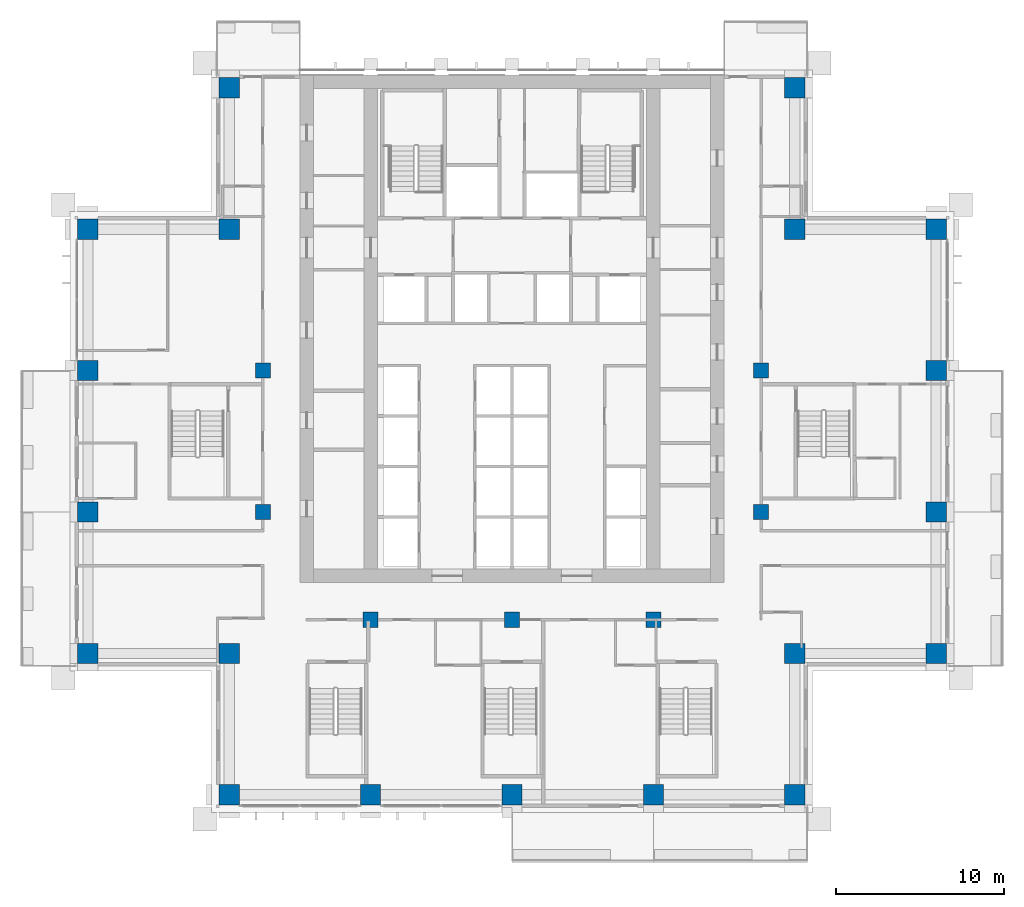
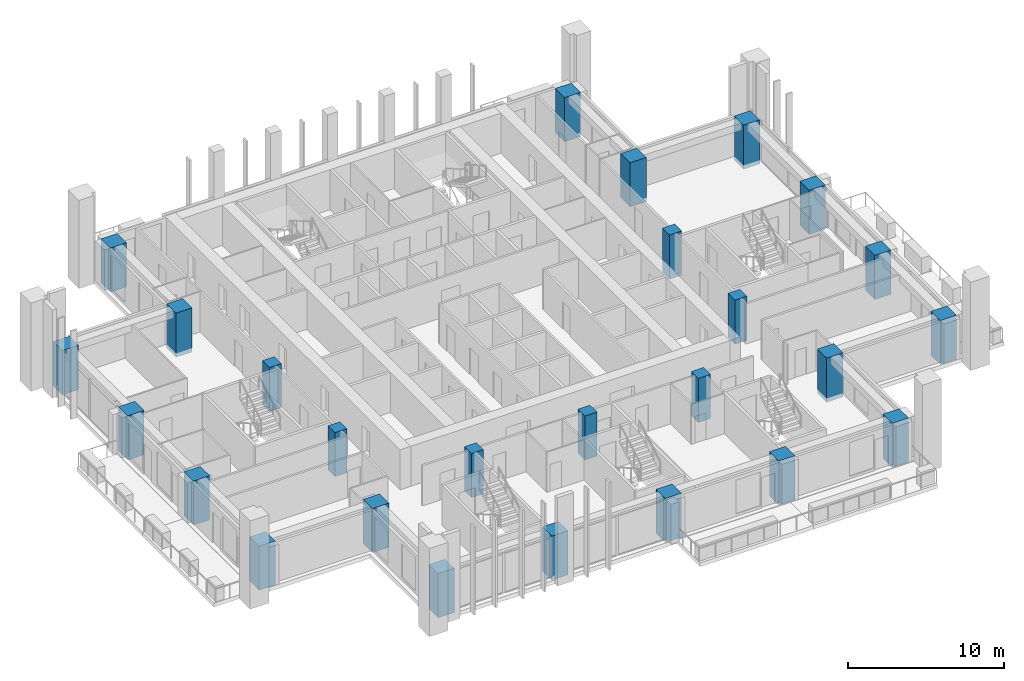
# One storey, part 1 of 19: 26 columns.
"""IFC4 building model written with IfcOpenShell, lengths in metres."""

from ifc_helpers import new_model, si_unit, direction, frame, origin, origin_2d, place, context, subcontext, project, spatial, rectangle, extrude, material, material_profile, profile_set, type_object, element, save


model = new_model("IFC4")

# Units and contexts
model_context = context("Model", 3, precision=1e-05, world=origin(), true_north=direction((0.0, 1.0)))
body_context = subcontext(model_context, "Body", "Model", "MODEL_VIEW")
ifc_project = project(units=[si_unit("LENGTHUNIT", "METRE"), si_unit("AREAUNIT", "SQUARE_METRE"), si_unit("VOLUMEUNIT", "CUBIC_METRE"), si_unit("PLANEANGLEUNIT", "RADIAN"), si_unit("MASSUNIT", "GRAM", prefix="KILO")], contexts=[model_context])

# Site, building, storey
site_placement = place(None, origin())
site = spatial("IfcSite", under=ifc_project, at=site_placement, CompositionType="ELEMENT")
building_placement = place(site_placement, origin())
building = spatial("IfcBuilding", under=site, at=building_placement, Name="Vermilion Ogive Tower", CompositionType="ELEMENT")
storey_placement = place(building_placement, frame((0.0, 0.0, 104.550048828125)))
storey = spatial("IfcBuildingStorey", under=building, at=storey_placement, Name="L26", CompositionType="ELEMENT", Elevation=104.550048828125)

# Columns
ifc_material_1 = material(Name="Concrete B80", Category="concrete")
ifc_material_profile_1 = material_profile(ifc_material_1, rectangle(XDim=1.199951171875, YDim=1.199951171875, at=origin_2d()), Name="1200 x 1200")
ifc_profile_set_1 = profile_set([ifc_material_profile_1], Name="Concrete B80")
column_type_1 = type_object("IfcColumnType", Name="Perimeter column 1200 x 1200 B80", PredefinedType="COLUMN", material=ifc_profile_set_1)
for number, where, z_axis, x_axis, name in (
    (1, (-16.800048828125, -21.0, -0.320068359375), (0.0, 0.0, 1.0), (1.0, 0.0, 0.0), "COL-L26-P-0168-210"),
    (2, (-8.39990234375, -21.0, -0.320068359375), (0.0, 0.0, 1.0), (1.0, 0.0, 0.0), "COL-L26-P-0084-210"),
    (3, (0.0, -21.0, -0.320068359375), (0.0, 0.0, 1.0), (1.0, 0.0, 0.0), "COL-L26-P+0000-210"),
    (4, (8.39990234375, -21.0, -0.320068359375), (0.0, 0.0, 1.0), (1.0, 0.0, 0.0), "COL-L26-P+0084-210"),
    (5, (16.800048828125, -21.0, -0.320068359375), (0.0, 0.0, 1.0), (1.0, 0.0, 0.0), "COL-L26-P+0168-210"),
    (6, (-25.199951171875, -12.60009765625, -0.320068359375), (0.0, 0.0, 1.0), (1.0, 0.0, 0.0), "COL-L26-P-0252-126"),
    (7, (-16.800048828125, -12.60009765625, -0.320068359375), (0.0, 0.0, 1.0), (1.0, 0.0, 0.0), "COL-L26-P-0168-126"),
    (8, (16.800048828125, -12.60009765625, -0.320068359375), (0.0, 0.0, 1.0), (1.0, 0.0, 0.0), "COL-L26-P+0168-126"),
    (9, (25.199951171875, -12.60009765625, -0.320068359375), (0.0, 0.0, 1.0), (1.0, 0.0, 0.0), "COL-L26-P+0252-126"),
    (10, (-25.199951171875, -4.199951171875, -0.320068359375), (0.0, 0.0, 1.0), (1.0, 0.0, 0.0), "COL-L26-P-0252-042"),
    (11, (25.199951171875, -4.199951171875, -0.320068359375), (0.0, 0.0, 1.0), (1.0, 0.0, 0.0), "COL-L26-P+0252-042"),
    (12, (-25.199951171875, 4.199951171875, -0.320068359375), (0.0, 0.0, 1.0), (1.0, 0.0, 0.0), "COL-L26-P-0252+042"),
    (13, (25.199951171875, 4.199951171875, -0.320068359375), (0.0, 0.0, 1.0), (1.0, 0.0, 0.0), "COL-L26-P+0252+042"),
    (14, (-25.199951171875, 12.60009765625, -0.320068359375), (0.0, 0.0, 1.0), (1.0, 0.0, 0.0), "COL-L26-P-0252+126"),
    (15, (-16.800048828125, 12.60009765625, -0.320068359375), (0.0, 0.0, 1.0), (1.0, 0.0, 0.0), "COL-L26-P-0168+126"),
    (16, (16.800048828125, 12.60009765625, -0.320068359375), (0.0, 0.0, 1.0), (1.0, 0.0, 0.0), "COL-L26-P+0168+126"),
    (17, (25.199951171875, 12.60009765625, -0.320068359375), (0.0, 0.0, 1.0), (1.0, 0.0, 0.0), "COL-L26-P+0252+126"),
    (18, (-16.800048828125, 21.0, -0.320068359375), (0.0, 0.0, 1.0), (1.0, 0.0, 0.0), "COL-L26-P-0168+210"),
    (19, (16.800048828125, 21.0, -0.320068359375), (0.0, 0.0, 1.0), (1.0, 0.0, 0.0), "COL-L26-P+0168+210"),
):
    element("IfcColumn", number, at=place(storey_placement, frame(where, z_axis=z_axis, x_axis=x_axis)), inside=storey, type_object=column_type_1, Name=name, PredefinedType="COLUMN", context=body_context, shape_type="SweptSolid", body=[
        extrude(rectangle(XDim=1.199951171875, YDim=1.199951171875, at=origin_2d()), origin(), (0.0, 0.0, 1.0), 3.449951171875),
    ])
ifc_material_2 = material(Name="Concrete B80", Category="concrete")
ifc_material_profile_2 = material_profile(ifc_material_2, rectangle(XDim=0.89990234375, YDim=0.89990234375, at=origin_2d()), Name="900 x 900")
ifc_profile_set_2 = profile_set([ifc_material_profile_2], Name="Concrete B80")
column_type_2 = type_object("IfcColumnType", Name="Ring column 900 x 900 B80", PredefinedType="COLUMN", material=ifc_profile_set_2)
for number, where, z_axis, x_axis, name in (
    (20, (-8.39990234375, -10.60009765625, -0.320068359375), (0.0, 0.0, 1.0), (1.0, 0.0, 0.0), "COL-L26-R-0084-106"),
    (21, (0.0, -10.60009765625, -0.320068359375), (0.0, 0.0, 1.0), (1.0, 0.0, 0.0), "COL-L26-R+0000-106"),
    (22, (8.39990234375, -10.60009765625, -0.320068359375), (0.0, 0.0, 1.0), (1.0, 0.0, 0.0), "COL-L26-R+0084-106"),
    (23, (-14.800048828125, -4.199951171875, -0.320068359375), (0.0, 0.0, 1.0), (1.0, 0.0, 0.0), "COL-L26-R-0148-042"),
    (24, (14.800048828125, -4.199951171875, -0.320068359375), (0.0, 0.0, 1.0), (1.0, 0.0, 0.0), "COL-L26-R+0148-042"),
    (25, (-14.800048828125, 4.199951171875, -0.320068359375), (0.0, 0.0, 1.0), (1.0, 0.0, 0.0), "COL-L26-R-0148+042"),
    (26, (14.800048828125, 4.199951171875, -0.320068359375), (0.0, 0.0, 1.0), (1.0, 0.0, 0.0), "COL-L26-R+0148+042"),
):
    element("IfcColumn", number, at=place(storey_placement, frame(where, z_axis=z_axis, x_axis=x_axis)), inside=storey, type_object=column_type_2, Name=name, PredefinedType="COLUMN", context=body_context, shape_type="SweptSolid", body=[
        extrude(rectangle(XDim=0.89990234375, YDim=0.89990234375, at=origin_2d()), origin(), (0.0, 0.0, 1.0), 3.449951171875),
    ])

save(model, "model.ifc")
